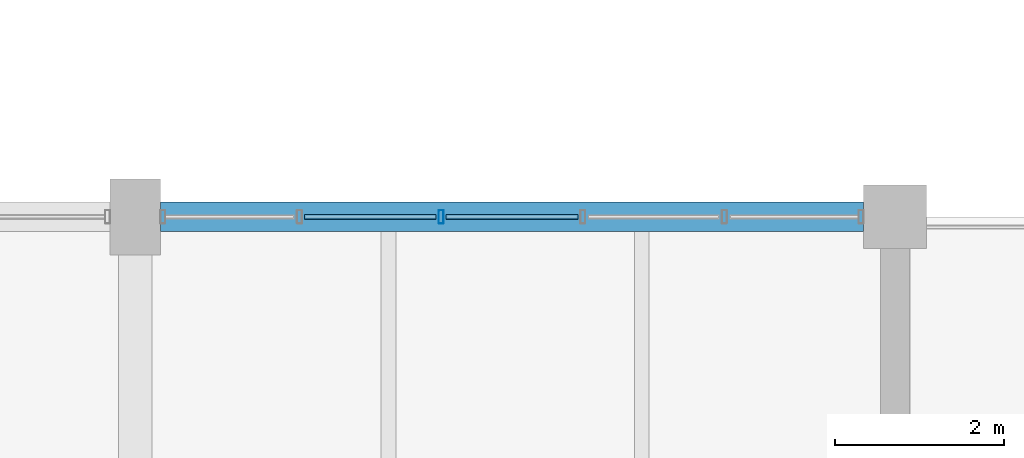
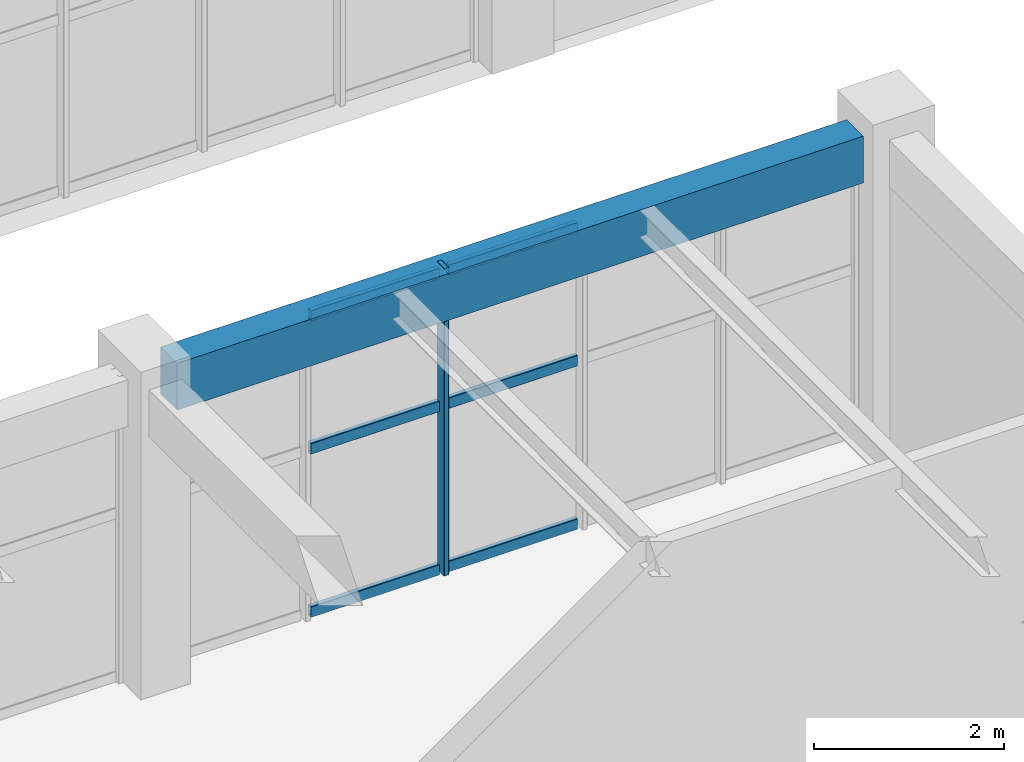
# One storey, part 20 of 148: 7 members, 1 beam, 1 element without a shape of its own.
"""IFC4 building model written with IfcOpenShell, lengths in metres."""

import ifcopenshell
import ifcopenshell.guid

model = None  # the IFC model being written
_history = None  # IfcOwnerHistory: only IFC2X3 demands one
_inside = {}  # id of a spatial element -> (the spatial element, [elements in it])
_under = {}  # id of a project, library or spatial element -> (it, [spatial elements below it])
_declared = {}  # id of a project -> (the project, [libraries it declares])
_typed = {}  # id of a type object -> (the type object, [elements of that type])
_made_of = {}  # id of a material, layer set ... -> (it, [elements and type objects made of it])


def new_model(schema):
    """Start an empty IFC model of exactly this schema.

    Asked for "IFC4X3", IfcOpenShell would pick the latest addendum, in which some entities
    have other attributes; the version numbers below select the first issue.
    IFC2X3 requires an IfcOwnerHistory on every rooted entity: one is made here for all.
    """
    global model, _history
    if schema == "IFC4X3":
        model = ifcopenshell.file(schema_version=(4, 3, 0, 0))
    else:
        model = ifcopenshell.file(schema=schema)
    _inside.clear()
    _under.clear()
    _declared.clear()
    _typed.clear()
    _made_of.clear()
    _history = None
    if model.schema == "IFC2X3":
        org = make("IfcOrganization", Name="unknown")
        user = make(
            "IfcPersonAndOrganization",
            ThePerson=make("IfcPerson", FamilyName="unknown"),
            TheOrganization=org,
        )
        app = make(
            "IfcApplication",
            ApplicationDeveloper=org,
            Version="unknown",
            ApplicationFullName="unknown",
            ApplicationIdentifier="unknown",
        )
        _history = make(
            "IfcOwnerHistory",
            OwningUser=user,
            OwningApplication=app,
            ChangeAction="ADDED",
            CreationDate=0,
        )
    return model


def make(cls, **values):
    """One entity of the class cls with the attributes given. An attribute that is None is left unset."""
    return model.create_entity(
        cls, **{name: value for name, value in values.items() if value is not None}
    )


def rooted(cls, **values):
    """An entity with a GlobalId (a new one), such as an element, a storey or a relation."""
    return make(cls, GlobalId=ifcopenshell.guid.new(), OwnerHistory=_history, **values)


def si_unit(unit_type, name, prefix=None):
    """IfcSIUnit, for example si_unit("LENGTHUNIT", "METRE", prefix="MILLI")."""
    return make("IfcSIUnit", UnitType=unit_type, Prefix=prefix, Name=name)


def derived_unit(unit_type, elements):
    """IfcDerivedUnit: a product of units, each with its exponent."""
    return make(
        "IfcDerivedUnit",
        Elements=[
            make("IfcDerivedUnitElement", Unit=unit, Exponent=power)
            for unit, power in elements
        ],
        UnitType=unit_type,
    )


def assignment(units):
    """IfcUnitAssignment: the units of a project."""
    return None if units is None else make("IfcUnitAssignment", Units=units)


def point(xyz):
    """IfcCartesianPoint."""
    return None if xyz is None else make("IfcCartesianPoint", Coordinates=xyz)


def direction(xyz):
    """IfcDirection."""
    return None if xyz is None else make("IfcDirection", DirectionRatios=xyz)


def frame(location, z_axis=None, x_axis=None):
    """IfcAxis2Placement3D, a coordinate frame: its origin and axes. An axis left out is left unset."""
    return make(
        "IfcAxis2Placement3D",
        Location=point(location),
        Axis=direction(z_axis),
        RefDirection=direction(x_axis),
    )


def frame_2d(location, x_axis=None):
    """IfcAxis2Placement2D, a coordinate frame in the plane: its origin and x axis."""
    return make(
        "IfcAxis2Placement2D", Location=point(location), RefDirection=direction(x_axis)
    )


def origin():
    """The frame at (0, 0, 0) with its axes left unset."""
    return frame((0.0, 0.0, 0.0))


def origin_2d():
    """The frame at (0, 0) in the plane with its x axis left unset."""
    return frame_2d((0.0, 0.0))


def place(relative_to, where):
    """IfcLocalPlacement: puts the frame where relative to a parent placement (None: the world)."""
    return make(
        "IfcLocalPlacement", PlacementRelTo=relative_to, RelativePlacement=where
    )


def context(
    kind, dimensions, precision=None, world=None, true_north=None, identifier=None
):
    """IfcGeometricRepresentationContext, for example the 3D "Model" context."""
    return make(
        "IfcGeometricRepresentationContext",
        ContextIdentifier=identifier,
        ContextType=kind,
        CoordinateSpaceDimension=dimensions,
        Precision=precision,
        WorldCoordinateSystem=world,
        TrueNorth=true_north,
    )


def subcontext(parent, identifier, kind, view, scale=None):
    """IfcGeometricRepresentationSubContext, for example "Body" below "Model"."""
    return make(
        "IfcGeometricRepresentationSubContext",
        ContextIdentifier=identifier,
        ContextType=kind,
        ParentContext=parent,
        TargetScale=scale,
        TargetView=view,
    )


def project(units=None, contexts=None):
    """IfcProject with its units and contexts."""
    return rooted(
        "IfcProject",
        Name="project",
        RepresentationContexts=contexts,
        UnitsInContext=assignment(units),
    )


def spatial(cls, under=None, at=None, **own):
    """A site, building, storey or space (cls), placed at a placement, below another one or the project."""
    s = rooted(cls, ObjectPlacement=at, **own)
    if under is not None:
        _under.setdefault(under.id(), (under, []))[1].append(s)
    return s


def profile(cls, at=None, kind="AREA", **sizes):
    """A parametric profile (cls). Its sizes go by their IFC names, for example OverallWidth=200.0."""
    return make(cls, ProfileType=kind, Position=at, **sizes)


def rectangle(**sizes):
    """IfcRectangleProfileDef."""
    return profile("IfcRectangleProfileDef", **sizes)


def hollow_rectangle(**sizes):
    """IfcRectangleHollowProfileDef."""
    return profile("IfcRectangleHollowProfileDef", **sizes)


def extrude(swept, where, along, depth):
    """IfcExtrudedAreaSolid: the profile swept, set in the frame where, extruded along a direction by depth."""
    return make(
        "IfcExtrudedAreaSolid",
        SweptArea=swept,
        Position=where,
        ExtrudedDirection=direction(along),
        Depth=depth,
    )


def shape(context_of_items, identifier, shape_type, items):
    """IfcShapeRepresentation: the items that make up one representation, for example the "Body"."""
    return make(
        "IfcShapeRepresentation",
        ContextOfItems=context_of_items,
        RepresentationIdentifier=identifier,
        RepresentationType=shape_type,
        Items=items,
    )


def material(Name=None, Category=None):
    """IfcMaterial."""
    return make("IfcMaterial", Name=Name, Category=Category)


def material_profile(
    of_material, cross_section, Name=None, Category=None, Priority=None
):
    """IfcMaterialProfile: a cross section and its material."""
    return make(
        "IfcMaterialProfile",
        Name=Name,
        Material=of_material,
        Profile=cross_section,
        Priority=Priority,
        Category=Category,
    )


def profile_set(profiles, Name=None, composite=None):
    """IfcMaterialProfileSet."""
    return make(
        "IfcMaterialProfileSet",
        Name=Name,
        MaterialProfiles=profiles,
        CompositeProfile=composite,
    )


def made_of(thing, what):
    """Note that an element or type object is made of a material, layer set ...; save() writes the relation."""
    if what is not None:
        _made_of.setdefault(what.id(), (what, []))[1].append(thing)
    return thing


def type_object(cls, material=None, **own):
    """A type object (cls), such as IfcWallType, which elements share."""
    return made_of(rooted(cls, **own), material)


def element(
    cls,
    number,
    at=None,
    inside=None,
    cuts=None,
    type_object=None,
    material=None,
    context=None,
    identifier="Body",
    shape_type=None,
    held_by="IfcProductDefinitionShape",
    body=None,
    shapes=None,
    **own,
):
    """One element of the class cls, such as IfcWall. Its Tag is "e" and its number.

    at: its placement. inside: the storey or other place that contains it. cuts: it is an
    opening in that element (IfcRelVoidsElement). A single representation is given by context,
    identifier, shape_type and body (its items); several are given by shapes. held_by: the class
    of the entity that holds the representations. save() writes the other relations.
    """
    e = rooted(cls, Tag="e%d" % number, ObjectPlacement=at, **own)
    if body is not None:
        shapes = [shape(context, identifier, shape_type, body)]
    if shapes is not None:
        e.Representation = make(held_by, Representations=shapes)
    if inside is not None:
        _inside.setdefault(inside.id(), (inside, []))[1].append(e)
    if cuts is not None:
        rooted(
            "IfcRelVoidsElement", RelatingBuildingElement=cuts, RelatedOpeningElement=e
        )
    if type_object is not None:
        _typed.setdefault(type_object.id(), (type_object, []))[1].append(e)
    return made_of(e, material)


def aggregate(whole, parts):
    """IfcRelAggregates: a whole, such as a stair, and the parts it consists of."""
    return rooted("IfcRelAggregates", RelatingObject=whole, RelatedObjects=parts)


def save(model, path):
    """Write the relations noted so far, then the file.

    IfcRelAggregates (storeys below a building ...), IfcRelContainedInSpatialStructure (elements
    in a storey), IfcRelDefinesByType, IfcRelAssociatesMaterial and IfcRelDeclares: one each for
    every whole, place, type object, material and project.
    """
    for whole, parts in _under.values():
        aggregate(whole, parts)
    for where, things in _inside.values():
        rooted(
            "IfcRelContainedInSpatialStructure",
            RelatedElements=things,
            RelatingStructure=where,
        )
    for kind, things in _typed.values():
        rooted("IfcRelDefinesByType", RelatedObjects=things, RelatingType=kind)
    for what, things in _made_of.values():
        rooted("IfcRelAssociatesMaterial", RelatedObjects=things, RelatingMaterial=what)
    for by, libraries in _declared.values():
        rooted("IfcRelDeclares", RelatingContext=by, RelatedDefinitions=libraries)
    model.write(path)


model = new_model("IFC4")

# Units and contexts
model_context = context("Model", 3, precision=1e-05, world=origin(), true_north=direction((0.0, 1.0)))
body_context = subcontext(model_context, "Body", "Model", "MODEL_VIEW")
ifc_project = project(units=[si_unit("LENGTHUNIT", "METRE"), si_unit("AREAUNIT", "SQUARE_METRE"), si_unit("VOLUMEUNIT", "CUBIC_METRE"), si_unit("PLANEANGLEUNIT", "RADIAN"), si_unit("MASSUNIT", "GRAM", prefix="KILO"), derived_unit("THERMALTRANSMITTANCEUNIT", [(si_unit("MASSUNIT", "GRAM", prefix="KILO"), 1), (si_unit("TIMEUNIT", "SECOND"), -3), (si_unit("THERMODYNAMICTEMPERATUREUNIT", "KELVIN"), -1)])], contexts=[model_context])

# Site, building, storey
site_placement = place(None, origin())
site = spatial("IfcSite", under=ifc_project, at=site_placement, CompositionType="ELEMENT")
building_placement = place(site_placement, origin())
building = spatial("IfcBuilding", under=site, at=building_placement, Name="Zhenchuan Archway Interchange", CompositionType="ELEMENT")
storey_placement = place(building_placement, frame((0.0, 0.0, 10.199951171875)))
storey = spatial("IfcBuildingStorey", under=building, at=storey_placement, Name="L02", CompositionType="ELEMENT", Elevation=10.199951171875)

# Curtain wall, members
ifc_material_1 = material(Name="Anodised Aluminium", Category="aluminium")
curtain_wall_type = type_object("IfcCurtainWallType", Name="CW_UNIT_3", PredefinedType="NOTDEFINED", material=ifc_material_1)
curtain_wall_placement = place(storey_placement, origin())
curtain_wall = element("IfcCurtainWall", 1, at=curtain_wall_placement, inside=storey, type_object=curtain_wall_type, Name="Unitised curtain wall CW:L02:114", PredefinedType="NOTDEFINED")
ifc_material_profile_1 = material_profile(ifc_material_1, hollow_rectangle(XDim=0.06005859375, YDim=0.159912109375, WallThickness=0.00390625, InnerFilletRadius=0.00390625, OuterFilletRadius=0.008056640625, at=origin_2d()), Name="ALU 160x60x4")
ifc_profile_set_1 = profile_set([ifc_material_profile_1], Name="Anodised Aluminium")
member_type_1 = type_object("IfcMemberType", Name="CW_MUL_150", PredefinedType="MULLION", material=ifc_profile_set_1)
member_1_placement = place(storey_placement, frame((30.62353515625, 16.0, 0.0), z_axis=(0.0, 0.0, 1.0), x_axis=(1.0, 0.0, 0.0)))
member_1 = element("IfcMember", 2, at=member_1_placement, type_object=member_type_1, Name="CW:L02:114 mullion 2", PredefinedType="MULLION", context=body_context, shape_type="SweptSolid", body=[
    extrude(hollow_rectangle(XDim=0.06005859375, YDim=0.159912109375, WallThickness=0.00390625, InnerFilletRadius=0.00390625, OuterFilletRadius=0.008056640625, at=origin_2d()), origin(), (0.0, 0.0, 1.0), 3.93994140625),
])
ifc_material_profile_2 = material_profile(ifc_material_1, hollow_rectangle(XDim=0.06005859375, YDim=0.139892578125, WallThickness=0.00341796875, InnerFilletRadius=0.00341796875, OuterFilletRadius=0.007080078125, at=origin_2d()), Name="ALU 140x60x3.5")
ifc_profile_set_2 = profile_set([ifc_material_profile_2], Name="Anodised Aluminium")
member_type_2 = type_object("IfcMemberType", Name="CW_TRN_140", PredefinedType="USERDEFINED", material=ifc_profile_set_2)
member_2_placement = place(storey_placement, frame((29.005859375, 16.0, 0.06005859375), z_axis=(1.0, 0.0, 0.0), x_axis=(0.0, 1.0, 0.0)))
member_2 = element("IfcMember", 3, at=member_2_placement, type_object=member_type_2, Name="CW:L02:114 transom 1-1", ObjectType="TRANSOM", PredefinedType="USERDEFINED", context=body_context, shape_type="SweptSolid", body=[
    extrude(hollow_rectangle(XDim=0.06005859375, YDim=0.139892578125, WallThickness=0.00341796875, InnerFilletRadius=0.00341796875, OuterFilletRadius=0.007080078125, at=origin_2d()), origin(), (0.0, 0.0, 1.0), 1.557861328125),
])
member_3_placement = place(storey_placement, frame((29.005859375, 16.0, 2.156005859375), z_axis=(1.0, 0.0, 0.0), x_axis=(0.0, 1.0, 0.0)))
member_3 = element("IfcMember", 4, at=member_3_placement, type_object=member_type_2, Name="CW:L02:114 transom 1-2", ObjectType="TRANSOM", PredefinedType="USERDEFINED", context=body_context, shape_type="SweptSolid", body=[
    extrude(hollow_rectangle(XDim=0.06005859375, YDim=0.139892578125, WallThickness=0.00341796875, InnerFilletRadius=0.00341796875, OuterFilletRadius=0.007080078125, at=origin_2d()), origin(), (0.0, 0.0, 1.0), 1.557861328125),
])
member_4_placement = place(storey_placement, frame((29.005859375, 16.0, 3.860107421875), z_axis=(1.0, 0.0, 0.0), x_axis=(0.0, 1.0, 0.0)))
member_4 = element("IfcMember", 5, at=member_4_placement, type_object=member_type_2, Name="CW:L02:114 transom 1-3", ObjectType="TRANSOM", PredefinedType="USERDEFINED", context=body_context, shape_type="SweptSolid", body=[
    extrude(hollow_rectangle(XDim=0.06005859375, YDim=0.139892578125, WallThickness=0.00341796875, InnerFilletRadius=0.00341796875, OuterFilletRadius=0.007080078125, at=origin_2d()), origin(), (0.0, 0.0, 1.0), 1.557861328125),
])
member_5_placement = place(storey_placement, frame((30.68359375, 16.0, 0.06005859375), z_axis=(1.0, 0.0, 0.0), x_axis=(0.0, 1.0, 0.0)))
member_5 = element("IfcMember", 6, at=member_5_placement, type_object=member_type_2, Name="CW:L02:114 transom 2-1", ObjectType="TRANSOM", PredefinedType="USERDEFINED", context=body_context, shape_type="SweptSolid", body=[
    extrude(hollow_rectangle(XDim=0.06005859375, YDim=0.139892578125, WallThickness=0.00341796875, InnerFilletRadius=0.00341796875, OuterFilletRadius=0.007080078125, at=origin_2d()), origin(), (0.0, 0.0, 1.0), 1.557861328125),
])
member_6_placement = place(storey_placement, frame((30.68359375, 16.0, 2.156005859375), z_axis=(1.0, 0.0, 0.0), x_axis=(0.0, 1.0, 0.0)))
member_6 = element("IfcMember", 7, at=member_6_placement, type_object=member_type_2, Name="CW:L02:114 transom 2-2", ObjectType="TRANSOM", PredefinedType="USERDEFINED", context=body_context, shape_type="SweptSolid", body=[
    extrude(hollow_rectangle(XDim=0.06005859375, YDim=0.139892578125, WallThickness=0.00341796875, InnerFilletRadius=0.00341796875, OuterFilletRadius=0.007080078125, at=origin_2d()), origin(), (0.0, 0.0, 1.0), 1.557861328125),
])
member_7_placement = place(storey_placement, frame((30.68359375, 16.0, 3.860107421875), z_axis=(1.0, 0.0, 0.0), x_axis=(0.0, 1.0, 0.0)))
member_7 = element("IfcMember", 8, at=member_7_placement, type_object=member_type_2, Name="CW:L02:114 transom 2-3", ObjectType="TRANSOM", PredefinedType="USERDEFINED", context=body_context, shape_type="SweptSolid", body=[
    extrude(hollow_rectangle(XDim=0.06005859375, YDim=0.139892578125, WallThickness=0.00341796875, InnerFilletRadius=0.00341796875, OuterFilletRadius=0.007080078125, at=origin_2d()), origin(), (0.0, 0.0, 1.0), 1.557861328125),
])
aggregate(curtain_wall, [member_1, member_2, member_3, member_4, member_5, member_6, member_7])

# Beam
ifc_material_2 = material(Name="Concrete C40", Category="concrete")
ifc_material_profile_3 = material_profile(ifc_material_2, rectangle(XDim=0.35009765625, YDim=0.60009765625, at=origin_2d()), Name="RC 350x600")
ifc_profile_set_3 = profile_set([ifc_material_profile_3], Name="Concrete C40")
beam_type = type_object("IfcBeamType", Name="SP_RC_350x600", PredefinedType="SPANDREL", material=ifc_profile_set_3)
beam_placement = place(storey_placement, frame((27.300048828125, 16.0, 3.64013671875), z_axis=(1.0, 0.0, 0.0), x_axis=(0.0, 1.0, 0.0)))
element("IfcBeam", 9, at=beam_placement, inside=storey, type_object=beam_type, Name="Beam C:4-5 (L02)", PredefinedType="SPANDREL", context=body_context, shape_type="SweptSolid", body=[
    extrude(rectangle(XDim=0.35009765625, YDim=0.60009765625, at=origin_2d()), origin(), (0.0, 0.0, 1.0), 8.324951171875),
])

save(model, "model.ifc")
